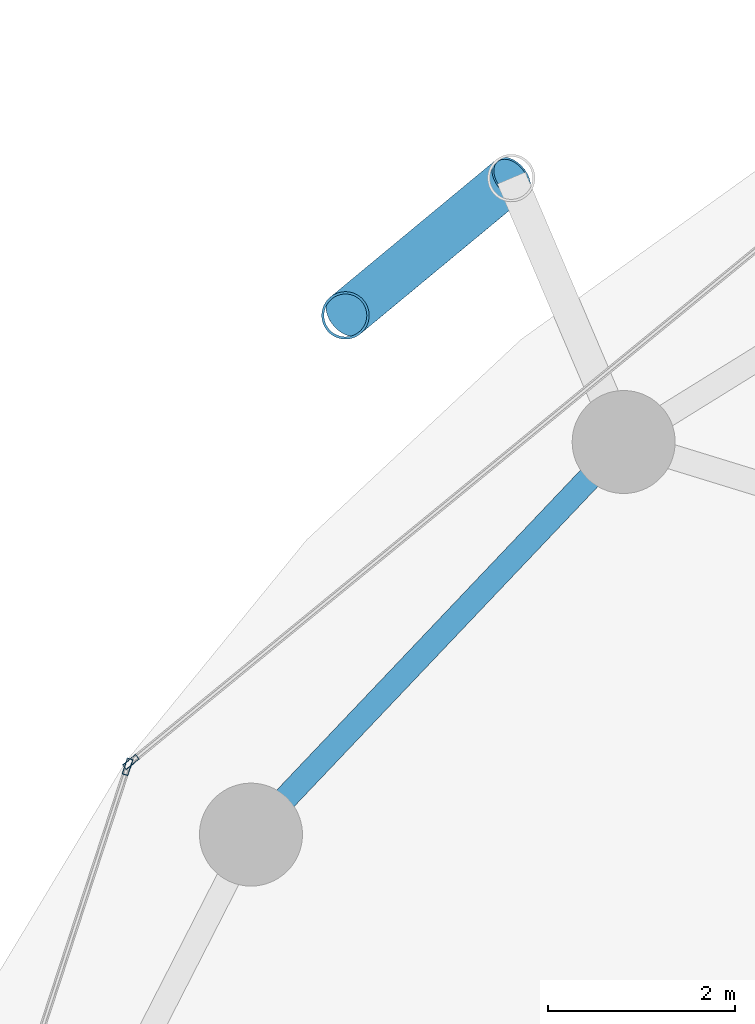
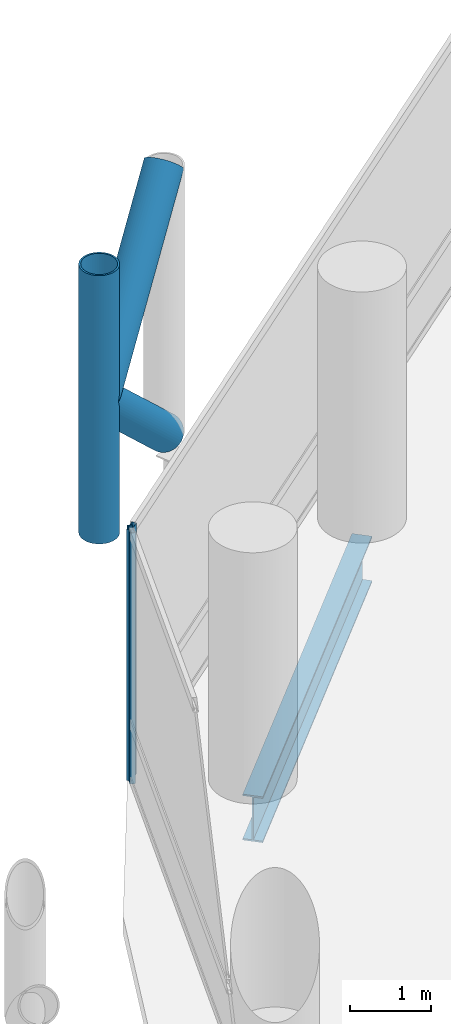
# One storey, part 13 of 24: 5 members, 1 beam, 2 elements without a shape of their own.
"""IFC4 building model written with IfcOpenShell, lengths in metres."""

from ifc_helpers import new_model, si_unit, direction, frame, origin, origin_2d, place, context, subcontext, project, spatial, hollow_rectangle, hollow_circle, i_section, extrude, material, layer, layer_set, material_profile, profile_set, type_object, element, aggregate, save


model = new_model("IFC4")

# Units and contexts
model_context = context("Model", 3, precision=1e-05, world=origin(), true_north=direction((0.0, 1.0)))
body_context = subcontext(model_context, "Body", "Model", "MODEL_VIEW")
ifc_project = project(units=[si_unit("LENGTHUNIT", "METRE"), si_unit("AREAUNIT", "SQUARE_METRE"), si_unit("VOLUMEUNIT", "CUBIC_METRE"), si_unit("PLANEANGLEUNIT", "RADIAN"), si_unit("MASSUNIT", "GRAM", prefix="KILO")], contexts=[model_context])

# Site, building, storey
site_placement = place(None, origin())
site = spatial("IfcSite", under=ifc_project, at=site_placement, CompositionType="ELEMENT")
building_placement = place(site_placement, origin())
building = spatial("IfcBuilding", under=site, at=building_placement, Name="Nuhasar Tower", CompositionType="ELEMENT")
storey_placement = place(building_placement, frame((0.0, 0.0, 25.050048828125)))
storey = spatial("IfcBuildingStorey", under=building, at=storey_placement, Name="L05", CompositionType="ELEMENT", Elevation=25.050048828125)

# Beam
ifc_material_1 = material(Name="Steel S355", Category="steel")
ifc_material_profile_1 = material_profile(ifc_material_1, i_section(OverallWidth=0.256103515625, OverallDepth=0.693115234375, WebThickness=0.014404296875, FlangeThickness=0.023681640625, at=origin_2d()), Name="W27X114")
ifc_profile_set_1 = profile_set([ifc_material_profile_1], Name="Steel S355")
beam_type = type_object("IfcBeamType", Name="BM-RING-W27X114", PredefinedType="SPANDREL", material=ifc_profile_set_1)
beam_placement = place(storey_placement, frame((21.287109375, 41.118896484375, -0.60595703125), z_axis=(-0.688480893507, -0.725254478976, 0.0), x_axis=(0.725254478976, -0.688480893507, 0.0)))
element("IfcBeam", 1, at=beam_placement, inside=storey, type_object=beam_type, Name="L05 Perimeter Ring Spandrel 10", PredefinedType="SPANDREL", context=body_context, shape_type="SweptSolid", body=[
    extrude(i_section(OverallWidth=0.256103515625, OverallDepth=0.693115234375, WebThickness=0.014404296875, FlangeThickness=0.023681640625, at=origin_2d()), origin(), (0.0, 0.0, 1.0), 5.782470703125),
])

# Curtain wall, member
ifc_material_2 = material(Name="Aluminium 6063-T6", Category="aluminium")
ifc_layer = layer(ifc_material_2, 0.199951171875)
ifc_layer_set = layer_set([ifc_layer], Name="Aluminium 6063-T6")
curtain_wall_type = type_object("IfcCurtainWallType", Name="CW-Z1-OFF", PredefinedType="NOTDEFINED", material=ifc_layer_set)
curtain_wall_1_placement = place(storey_placement, origin())
curtain_wall_1 = element("IfcCurtainWall", 2, at=curtain_wall_1_placement, inside=storey, type_object=curtain_wall_type, Name="L05 Unitised Curtain Wall 05", PredefinedType="NOTDEFINED")
ifc_material_profile_2 = material_profile(ifc_material_2, hollow_rectangle(XDim=0.06494140625, YDim=0.179931640625, WallThickness=0.0048828125, at=origin_2d()), Name="CWM-2")
ifc_profile_set_2 = profile_set([ifc_material_profile_2], Name="Aluminium 6063-T6")
member_type_1 = type_object("IfcMemberType", Name="CW-MUL-S2", PredefinedType="MULLION", material=ifc_profile_set_2)
member_1_placement = place(storey_placement, frame((16.023193359375, 37.70068359375, 0.0), z_axis=(0.0, 0.0, 1.0), x_axis=(0.633744593376, -0.773542364946, 0.0)))
member_1 = element("IfcMember", 3, at=member_1_placement, type_object=member_type_1, Name="CW-Z1 mullion 2", PredefinedType="MULLION", context=body_context, shape_type="SweptSolid", body=[
    extrude(hollow_rectangle(XDim=0.06494140625, YDim=0.179931640625, WallThickness=0.0048828125, at=origin_2d()), origin(), (0.0, 0.0, 1.0), 3.7900390625),
])
aggregate(curtain_wall_1, [member_1])

curtain_wall_2_placement = place(storey_placement, origin())
curtain_wall_2 = element("IfcCurtainWall", 4, at=curtain_wall_2_placement, inside=storey, type_object=curtain_wall_type, Name="L05 Unitised Curtain Wall 06", PredefinedType="NOTDEFINED")
member_2_placement = place(storey_placement, frame((15.98779296875, 37.649169921875, 0.0), z_axis=(0.0, 0.0, 1.0), x_axis=(0.950467534571, -0.310823849997, 0.0)))
member_2 = element("IfcMember", 5, at=member_2_placement, type_object=member_type_1, Name="CW-Z1 mullion 1", PredefinedType="MULLION", context=body_context, shape_type="SweptSolid", body=[
    extrude(hollow_rectangle(XDim=0.06494140625, YDim=0.179931640625, WallThickness=0.0048828125, at=origin_2d()), origin(), (0.0, 0.0, 1.0), 3.7900390625),
])
aggregate(curtain_wall_2, [member_2])

# Members
ifc_material_3 = material(Name="Steel S460", Category="steel")
ifc_material_profile_3 = material_profile(ifc_material_3, hollow_circle(Radius=0.25390625, WallThickness=0.025390625, at=origin_2d()), Name="HSS508X25.4")
ifc_profile_set_3 = profile_set([ifc_material_profile_3], Name="Steel S460")
member_type_2 = type_object("IfcMemberType", Name="EXO-BRONZE-508", PredefinedType="BRACE", material=ifc_profile_set_3)
member_3_placement = place(storey_placement, frame((18.31494140625, 42.470947265625, 0.0), z_axis=(0.0, 0.0, 1.0), x_axis=(1.0, 0.0, 0.0)))
element("IfcMember", 6, at=member_3_placement, inside=storey, type_object=member_type_2, Name="L05 Exoskeleton Chord Column EC-05B", PredefinedType="BRACE", context=body_context, shape_type="SweptSolid", body=[
    extrude(hollow_circle(Radius=0.25390625, WallThickness=0.025390625, at=origin_2d()), origin(), (0.0, 0.0, 1.0), 4.050048828125),
])
member_4_placement = place(storey_placement, frame((20.0869140625, 43.93896484375, 0.0), z_axis=(-0.578101613167, -0.478937034992, 0.660619286251), x_axis=(0.637969333506, -0.770061769929, 0.0)))
element("IfcMember", 7, at=member_4_placement, inside=storey, type_object=member_type_2, Name="L05 Bronze Diagrid Brace W1-05", PredefinedType="BRACE", context=body_context, shape_type="SweptSolid", body=[
    extrude(hollow_circle(Radius=0.25390625, WallThickness=0.025390625, at=origin_2d()), origin(), (0.0, 0.0, 1.0), 3.065185546875),
])
member_5_placement = place(storey_placement, frame((18.31494140625, 42.470947265625, 2.02490234375), z_axis=(0.578071194894, 0.478911834514, 0.660664172175), x_axis=(-0.637969333506, 0.770061769929, 0.0)))
element("IfcMember", 8, at=member_5_placement, inside=storey, type_object=member_type_2, Name="L05 Bronze Diagrid Brace W2-05", PredefinedType="BRACE", context=body_context, shape_type="SweptSolid", body=[
    extrude(hollow_circle(Radius=0.25390625, WallThickness=0.025390625, at=origin_2d()), origin(), (0.0, 0.0, 1.0), 3.0654296875),
])

save(model, "model.ifc")
